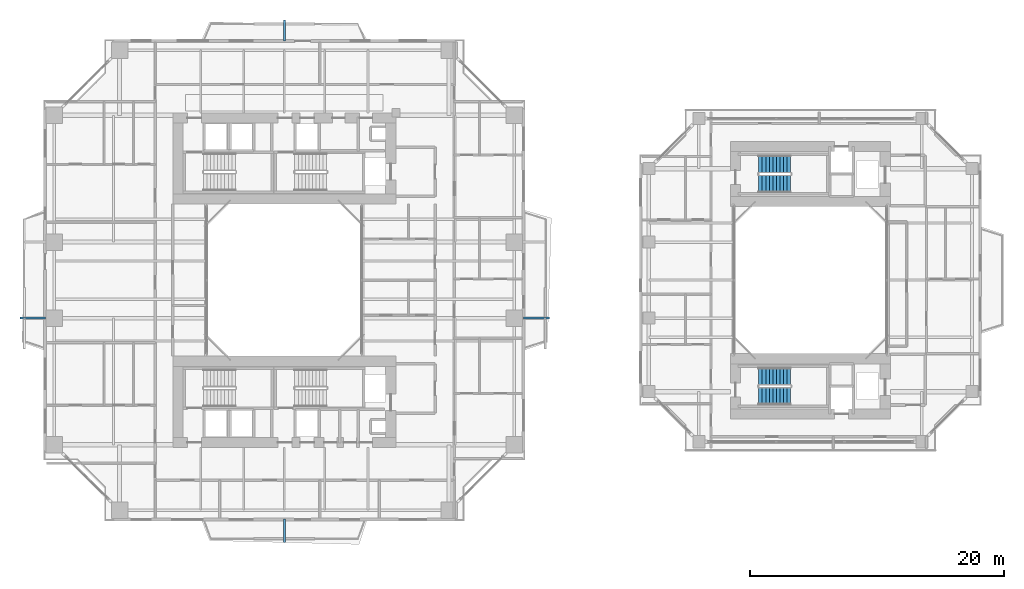
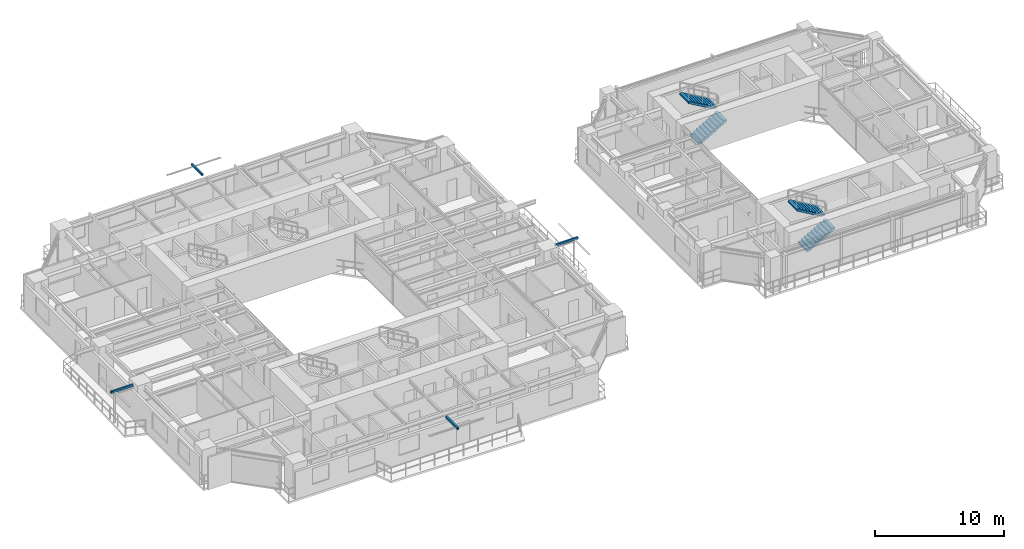
# One storey, part 19 of 24: 4 discrete accessories, 4 stair flights, 2 elements without a shape of their own.
"""IFC4 building model written with IfcOpenShell, lengths in metres."""

from ifc_helpers import new_model, si_unit, direction, frame, origin, origin_2d, place, context, subcontext, project, spatial, polyline, rectangle, outline, extrude, source, transform, mapped, material, type_object, element, aggregate, save


model = new_model("IFC4")

# Units and contexts
model_context = context("Model", 3, precision=1e-05, world=origin(), true_north=direction((0.0, 1.0)))
body_context = subcontext(model_context, "Body", "Model", "MODEL_VIEW")
ifc_project = project(units=[si_unit("LENGTHUNIT", "METRE"), si_unit("AREAUNIT", "SQUARE_METRE"), si_unit("VOLUMEUNIT", "CUBIC_METRE"), si_unit("PLANEANGLEUNIT", "RADIAN"), si_unit("MASSUNIT", "GRAM", prefix="KILO"), si_unit("THERMODYNAMICTEMPERATUREUNIT", "KELVIN"), si_unit("POWERUNIT", "WATT")], contexts=[model_context])

# Site, building, storey
site_placement = place(None, origin())
site = spatial("IfcSite", under=ifc_project, at=site_placement, CompositionType="ELEMENT")
building_placement = place(site_placement, origin())
building = spatial("IfcBuilding", under=site, at=building_placement, Name="Qiaomeng Ring Towers", CompositionType="ELEMENT")
storey_placement = place(building_placement, frame((0.0, 0.0, 56.75)))
storey = spatial("IfcBuildingStorey", under=building, at=storey_placement, Name="L15", CompositionType="ELEMENT", Elevation=56.75)

# Stair, stair flights
ifc_material_1 = material(Name="Precast concrete C40", Category="concrete")
stair_type = type_object("IfcStairType", Name="ARC-ST-325", PredefinedType="HALF_TURN_STAIR", material=ifc_material_1)
stair_1_placement = place(storey_placement, origin())
stair_1 = element("IfcStair", 1, at=stair_1_placement, inside=storey, type_object=stair_type, Name="L15 Companion North Stair 5", PredefinedType="HALF_TURN_STAIR")
stair_flight_type = type_object("IfcStairFlightType", Name="ARC-ST-325-FL", PredefinedType="STRAIGHT", material=ifc_material_1)
shared_shape_1 = source(origin(), body_context, "Body", "SweptSolid", [
    extrude(outline(polyline([(0.0, 0.0), (0.0, 0.16259765625), (0.280029296875, 0.16259765625), (0.280029296875, 0.324951171875), (0.56005859375, 0.324951171875), (0.56005859375, 0.487548828125), (0.840087890625, 0.487548828125), (0.840087890625, 0.64990234375), (1.1201171875, 0.64990234375), (1.1201171875, 0.8125), (1.39990234375, 0.8125), (1.39990234375, 0.97509765625), (1.679931640625, 0.97509765625), (1.679931640625, 1.137451171875), (1.9599609375, 1.137451171875), (1.9599609375, 1.300048828125), (2.239990234375, 1.300048828125), (2.239990234375, 1.46240234375), (2.52001953125, 1.46240234375), (2.52001953125, 1.625), (2.52001953125, 1.2890625), (0.298583984375, 0.0), (0.0, 0.0)])), frame((0.0, 0.699951171875, 0.0), z_axis=(0.0, -1.0, 0.0), x_axis=(1.0, 0.0, 0.0)), (0.0, 0.0, 1.0), 1.39990234375),
])
stair_flight_1_placement = place(storey_placement, frame((56.419921875, 30.60009765625, 0.0), z_axis=(0.0, 0.0, 1.0), x_axis=(1.0, 0.0, 0.0)))
stair_flight_1 = element("IfcStairFlight", 2, at=stair_flight_1_placement, type_object=stair_flight_type, Name="ST5 flight 1", NumberOfRisers=10, NumberOfTreads=9, PredefinedType="STRAIGHT", RiserHeight=0.1625, TreadLength=0.28, context=body_context, shape_type="MappedRepresentation", body=[
    mapped(shared_shape_1, transform((0.0, 0.0, 0.0), x_axis=(1.0, 0.0, 0.0), y_axis=(0.0, 1.0, 0.0), z_axis=(0.0, 0.0, 1.0), scale=1.0)),
])
stair_flight_2_placement = place(storey_placement, frame((58.93994140625, 32.139892578125, 1.625), z_axis=(0.0, 0.0, 1.0), x_axis=(-1.0, 0.0, 0.0)))
stair_flight_2 = element("IfcStairFlight", 3, at=stair_flight_2_placement, type_object=stair_flight_type, Name="ST5 flight 2", NumberOfRisers=10, NumberOfTreads=9, PredefinedType="STRAIGHT", RiserHeight=0.1625, TreadLength=0.28, context=body_context, shape_type="MappedRepresentation", body=[
    mapped(shared_shape_1, transform((0.0, 0.0, 0.0), x_axis=(1.0, 0.0, 0.0), y_axis=(0.0, 1.0, 0.0), z_axis=(0.0, 0.0, 1.0), scale=1.0)),
])
aggregate(stair_1, [stair_flight_1, stair_flight_2])

stair_2_placement = place(storey_placement, origin())
stair_2 = element("IfcStair", 4, at=stair_2_placement, inside=storey, type_object=stair_type, Name="L15 Companion South Stair 6", PredefinedType="HALF_TURN_STAIR")
stair_flight_3_placement = place(storey_placement, frame((56.419921875, 13.860107421875, 0.0), z_axis=(0.0, 0.0, 1.0), x_axis=(1.0, 0.0, 0.0)))
stair_flight_3 = element("IfcStairFlight", 5, at=stair_flight_3_placement, type_object=stair_flight_type, Name="ST6 flight 1", NumberOfRisers=10, NumberOfTreads=9, PredefinedType="STRAIGHT", RiserHeight=0.1625, TreadLength=0.28, context=body_context, shape_type="MappedRepresentation", body=[
    mapped(shared_shape_1, transform((0.0, 0.0, 0.0), x_axis=(1.0, 0.0, 0.0), y_axis=(0.0, 1.0, 0.0), z_axis=(0.0, 0.0, 1.0), scale=1.0)),
])
stair_flight_4_placement = place(storey_placement, frame((58.93994140625, 15.39990234375, 1.625), z_axis=(0.0, 0.0, 1.0), x_axis=(-1.0, 0.0, 0.0)))
stair_flight_4 = element("IfcStairFlight", 6, at=stair_flight_4_placement, type_object=stair_flight_type, Name="ST6 flight 2", NumberOfRisers=10, NumberOfTreads=9, PredefinedType="STRAIGHT", RiserHeight=0.1625, TreadLength=0.28, context=body_context, shape_type="MappedRepresentation", body=[
    mapped(shared_shape_1, transform((0.0, 0.0, 0.0), x_axis=(1.0, 0.0, 0.0), y_axis=(0.0, 1.0, 0.0), z_axis=(0.0, 0.0, 1.0), scale=1.0)),
])
aggregate(stair_2, [stair_flight_3, stair_flight_4])

# Discrete accessories
ifc_material_2 = material(Name="Stainless steel 316", Category="steel")
discrete_accessory_type = type_object("IfcDiscreteAccessoryType", Name="ARC-ACC-BRACKET", PredefinedType="BRACKET", material=ifc_material_2)
shared_shape_2 = source(origin(), body_context, "Body", "SweptSolid", [
    extrude(rectangle(XDim=0.159912109375, YDim=1.85009765625, at=origin_2d()), origin(), (0.0, 0.0, 1.0), 0.179931640625),
])
discrete_accessory_1_placement = place(storey_placement, frame((19.0, 3.22509765625, 2.89990234375), z_axis=(0.0, 0.0, 1.0), x_axis=(1.0, 0.0, 0.0)))
element("IfcDiscreteAccessory", 7, at=discrete_accessory_1_placement, inside=storey, type_object=discrete_accessory_type, Name="L15 Stainless Outer-Skin Tie Bracket S", PredefinedType="BRACKET", context=body_context, shape_type="MappedRepresentation", body=[
    mapped(shared_shape_2, transform((0.0, 0.0, 0.0), x_axis=(1.0, 0.0, 0.0), y_axis=(0.0, 1.0, 0.0), z_axis=(0.0, 0.0, 1.0), scale=1.0)),
])
shared_shape_3 = source(origin(), body_context, "Body", "SweptSolid", [
    extrude(rectangle(XDim=0.159912109375, YDim=1.669921875, at=origin_2d()), origin(), (0.0, 0.0, 1.0), 0.179931640625),
])
discrete_accessory_2_placement = place(storey_placement, frame((19.0, 42.68505859375, 2.89990234375), z_axis=(0.0, 0.0, 1.0), x_axis=(1.0, 0.0, 0.0)))
element("IfcDiscreteAccessory", 8, at=discrete_accessory_2_placement, inside=storey, type_object=discrete_accessory_type, Name="L15 Stainless Outer-Skin Tie Bracket N", PredefinedType="BRACKET", context=body_context, shape_type="MappedRepresentation", body=[
    mapped(shared_shape_3, transform((0.0, 0.0, 0.0), x_axis=(1.0, 0.0, 0.0), y_axis=(0.0, 1.0, 0.0), z_axis=(0.0, 0.0, 1.0), scale=1.0)),
])
shared_shape_4 = source(origin(), body_context, "Body", "SweptSolid", [
    extrude(rectangle(XDim=2.0, YDim=0.159912109375, at=origin_2d()), origin(), (0.0, 0.0, 1.0), 0.179931640625),
])
discrete_accessory_3_placement = place(storey_placement, frame((-0.85009765625, 20.0, 2.89990234375), z_axis=(0.0, 0.0, 1.0), x_axis=(1.0, 0.0, 0.0)))
element("IfcDiscreteAccessory", 9, at=discrete_accessory_3_placement, inside=storey, type_object=discrete_accessory_type, Name="L15 Stainless Outer-Skin Tie Bracket W", PredefinedType="BRACKET", context=body_context, shape_type="MappedRepresentation", body=[
    mapped(shared_shape_4, transform((0.0, 0.0, 0.0), x_axis=(1.0, 0.0, 0.0), y_axis=(0.0, 1.0, 0.0), z_axis=(0.0, 0.0, 1.0), scale=1.0)),
])
shared_shape_5 = source(origin(), body_context, "Body", "SweptSolid", [
    extrude(rectangle(XDim=2.070068359375, YDim=0.159912109375, at=origin_2d()), origin(), (0.0, 0.0, 1.0), 0.179931640625),
])
discrete_accessory_4_placement = place(storey_placement, frame((38.885009765625, 20.0, 2.89990234375), z_axis=(0.0, 0.0, 1.0), x_axis=(1.0, 0.0, 0.0)))
element("IfcDiscreteAccessory", 10, at=discrete_accessory_4_placement, inside=storey, type_object=discrete_accessory_type, Name="L15 Stainless Outer-Skin Tie Bracket E", PredefinedType="BRACKET", context=body_context, shape_type="MappedRepresentation", body=[
    mapped(shared_shape_5, transform((0.0, 0.0, 0.0), x_axis=(1.0, 0.0, 0.0), y_axis=(0.0, 1.0, 0.0), z_axis=(0.0, 0.0, 1.0), scale=1.0)),
])

save(model, "model.ifc")
